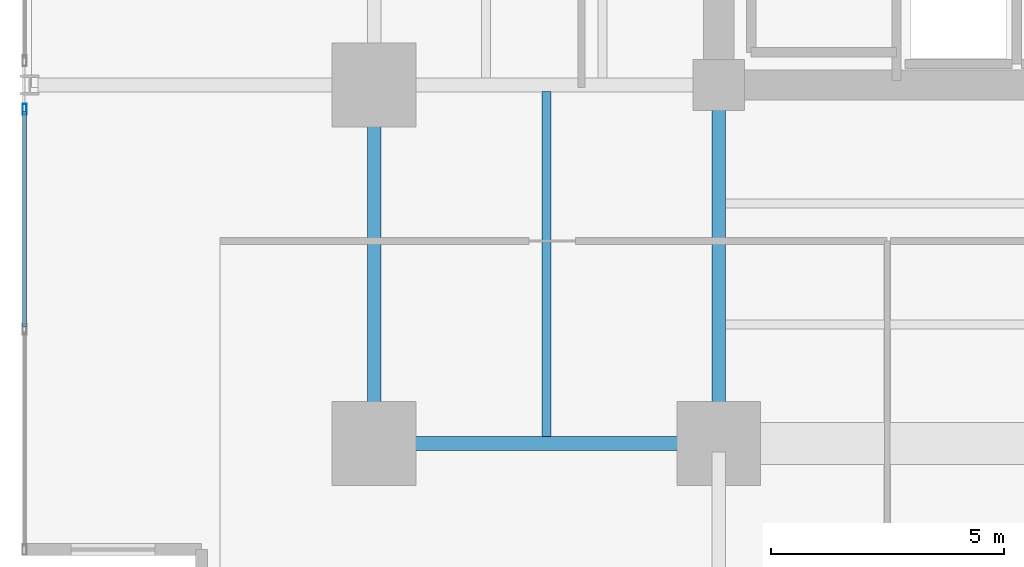
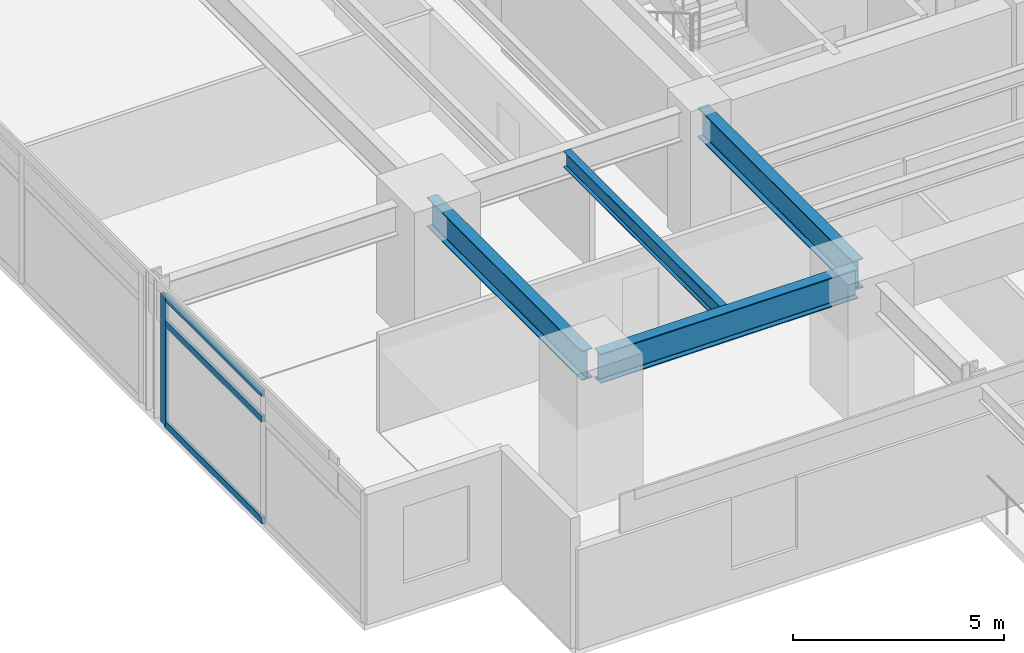
# One storey, part 3 of 23: 4 beams, 4 members, 1 element without a shape of its own.
"""IFC4 building model written with IfcOpenShell, lengths in metres."""

from ifc_helpers import new_model, si_unit, direction, frame, origin, origin_2d, place, context, subcontext, project, spatial, hollow_rectangle, i_section, extrude, material, material_profile, profile_set, type_object, element, aggregate, save


model = new_model("IFC4")

# Units and contexts
model_context = context("Model", 3, precision=1e-05, world=origin(), true_north=direction((0.0, 1.0)))
body_context = subcontext(model_context, "Body", "Model", "MODEL_VIEW")
ifc_project = project(units=[si_unit("LENGTHUNIT", "METRE"), si_unit("AREAUNIT", "SQUARE_METRE"), si_unit("VOLUMEUNIT", "CUBIC_METRE"), si_unit("PLANEANGLEUNIT", "RADIAN"), si_unit("MASSUNIT", "GRAM", prefix="KILO")], contexts=[model_context])

# Site, building, storey
site_placement = place(None, origin())
site = spatial("IfcSite", under=ifc_project, at=site_placement, CompositionType="ELEMENT")
building_placement = place(site_placement, origin())
building = spatial("IfcBuilding", under=site, at=building_placement, Name="Kovane Verandah Tower", CompositionType="ELEMENT")
storey_placement = place(building_placement, frame((0.0, 0.0, 63.60009765625)))
storey = spatial("IfcBuildingStorey", under=building, at=storey_placement, Name="L14", CompositionType="ELEMENT", Elevation=63.60009765625)

# Beams
ifc_material_1 = material(Name="Steel S355", Category="steel")
ifc_material_profile_1 = material_profile(ifc_material_1, i_section(OverallWidth=0.293701171875, OverallDepth=0.850830078125, WebThickness=0.01611328125, FlangeThickness=0.02685546875, FilletRadius=0.017822265625, at=origin_2d()), Name="UB838x292x226")
ifc_profile_set_1 = profile_set([ifc_material_profile_1], Name="Steel S355")
beam_type_1 = type_object("IfcBeamType", Name="BM-UB838x226", PredefinedType="BEAM", material=ifc_profile_set_1)
beam_1_placement = place(storey_placement, frame((21.780029296875, 10.800048828125, 3.33447265625), z_axis=(1.0, 0.0, 0.0), x_axis=(0.0, 1.0, 0.0)))
element("IfcBeam", 1, at=beam_1_placement, inside=storey, type_object=beam_type_1, Name="L14 Primary Tower Girder G-RS1", PredefinedType="BEAM", context=body_context, shape_type="SweptSolid", body=[
    extrude(i_section(OverallWidth=0.293701171875, OverallDepth=0.850830078125, WebThickness=0.01611328125, FlangeThickness=0.02685546875, FilletRadius=0.017822265625, at=origin_2d()), origin(), (0.0, 0.0, 1.0), 7.0400390625),
])
for number, where, z_axis, x_axis, name in (
    (2, (21.60009765625, 10.97998046875, 3.33447265625), (0.0, 1.0, 0.0), (-1.0, 0.0, 0.0), "L14 Primary Tower Girder G-RW1"),
    (3, (29.0, 18.320068359375, 3.33447265625), (0.0, -1.0, 0.0), (1.0, 0.0, 0.0), "L14 Primary Tower Girder G-S1"),
):
    element("IfcBeam", number, at=place(storey_placement, frame(where, z_axis=z_axis, x_axis=x_axis)), inside=storey, type_object=beam_type_1, Name=name, PredefinedType="BEAM", context=body_context, shape_type="SweptSolid", body=[
        extrude(i_section(OverallWidth=0.293701171875, OverallDepth=0.850830078125, WebThickness=0.01611328125, FlangeThickness=0.02685546875, FilletRadius=0.017822265625, at=origin_2d()), origin(), (0.0, 0.0, 1.0), 7.340087890625),
    ])

# Curtain wall, members
ifc_material_2 = material(Name="Champagne Anodised Aluminium Frame with Low-E Clear Laminated Glass", Category="aluminium")
curtain_wall_type = type_object("IfcCurtainWallType", Name="CW-SYS-02-LOW", PredefinedType="NOTDEFINED", material=ifc_material_2)
curtain_wall_placement = place(storey_placement, origin())
curtain_wall = element("IfcCurtainWall", 4, at=curtain_wall_placement, inside=storey, type_object=curtain_wall_type, Name="L14 W Unitised Curtain Wall-3", PredefinedType="NOTDEFINED")
ifc_material_3 = material(Name="Champagne Anodised Aluminium 6063-T6", Category="aluminium")
ifc_material_profile_2 = material_profile(ifc_material_3, hollow_rectangle(XDim=0.0849609375, YDim=0.22998046875, WallThickness=0.00390625, at=origin_2d()), Name="AL85x230x4")
ifc_profile_set_2 = profile_set([ifc_material_profile_2], Name="Champagne Anodised Aluminium 6063-T6")
member_type_1 = type_object("IfcMemberType", Name="CW-MUL-85x230", PredefinedType="MULLION", material=ifc_profile_set_2)
member_1_placement = place(storey_placement, frame((14.093017578125, 17.97998046875, 0.02001953125), z_axis=(0.0, 0.0, 1.0), x_axis=(-1.0, 0.0, 0.0)))
member_1 = element("IfcMember", 5, at=member_1_placement, type_object=member_type_1, Name="L14 W Unitised Curtain Wall-3 Mullion 1", PredefinedType="MULLION", context=body_context, shape_type="SweptSolid", body=[
    extrude(hollow_rectangle(XDim=0.0849609375, YDim=0.22998046875, WallThickness=0.00390625, at=origin_2d()), origin(), (0.0, 0.0, 1.0), 3.719970703125),
])
ifc_material_profile_3 = material_profile(ifc_material_3, hollow_rectangle(XDim=0.0849609375, YDim=0.18994140625, WallThickness=0.00390625, at=origin_2d()), Name="AL85x190x4")
ifc_profile_set_3 = profile_set([ifc_material_profile_3], Name="Champagne Anodised Aluminium 6063-T6")
member_type_2 = type_object("IfcMemberType", Name="CW-TRN-85x190", PredefinedType="USERDEFINED", material=ifc_profile_set_3)
member_2_placement = place(storey_placement, frame((14.093017578125, 17.929931640625, 0.0498046875), z_axis=(0.0, -1.0, 0.0), x_axis=(1.0, 0.0, 0.0)))
member_2 = element("IfcMember", 6, at=member_2_placement, type_object=member_type_2, Name="L14 W Unitised Curtain Wall-3 Transom TB Bay 1", ObjectType="TRANSOM", PredefinedType="USERDEFINED", context=body_context, shape_type="SweptSolid", body=[
    extrude(hollow_rectangle(XDim=0.0849609375, YDim=0.18994140625, WallThickness=0.00390625, at=origin_2d()), origin(), (0.0, 0.0, 1.0), 4.62744140625),
])
member_3_placement = place(storey_placement, frame((14.093017578125, 17.929931640625, 2.97998046875), z_axis=(0.0, -1.0, 0.0), x_axis=(1.0, 0.0, 0.0)))
member_3 = element("IfcMember", 7, at=member_3_placement, type_object=member_type_2, Name="L14 W Unitised Curtain Wall-3 Transom TM Bay 1", ObjectType="TRANSOM", PredefinedType="USERDEFINED", context=body_context, shape_type="SweptSolid", body=[
    extrude(hollow_rectangle(XDim=0.0849609375, YDim=0.18994140625, WallThickness=0.00390625, at=origin_2d()), origin(), (0.0, 0.0, 1.0), 4.62744140625),
])
member_4_placement = place(storey_placement, frame((14.093017578125, 17.929931640625, 3.7099609375), z_axis=(0.0, -1.0, 0.0), x_axis=(1.0, 0.0, 0.0)))
member_4 = element("IfcMember", 8, at=member_4_placement, type_object=member_type_2, Name="L14 W Unitised Curtain Wall-3 Transom TT Bay 1", ObjectType="TRANSOM", PredefinedType="USERDEFINED", context=body_context, shape_type="SweptSolid", body=[
    extrude(hollow_rectangle(XDim=0.0849609375, YDim=0.18994140625, WallThickness=0.00390625, at=origin_2d()), origin(), (0.0, 0.0, 1.0), 4.62744140625),
])
aggregate(curtain_wall, [member_1, member_2, member_3, member_4])

# Beam
ifc_material_profile_4 = material_profile(ifc_material_1, i_section(OverallWidth=0.19287109375, OverallDepth=0.46728515625, WebThickness=0.011474609375, FlangeThickness=0.01953125, FilletRadius=0.01025390625, at=origin_2d()), Name="UB457x191x98")
ifc_profile_set_4 = profile_set([ifc_material_profile_4], Name="Steel S355")
beam_type_2 = type_object("IfcBeamType", Name="JST-UB457x98", PredefinedType="JOIST", material=ifc_profile_set_4)
beam_2_placement = place(storey_placement, frame((25.300048828125, 10.94482421875, 3.5263671875), z_axis=(0.0, 1.0, 0.0), x_axis=(-1.0, 0.0, 0.0)))
element("IfcBeam", 9, at=beam_2_placement, inside=storey, type_object=beam_type_2, Name="L14 Secondary Composite Joist J-SW1", PredefinedType="JOIST", context=body_context, shape_type="SweptSolid", body=[
    extrude(i_section(OverallWidth=0.19287109375, OverallDepth=0.46728515625, WebThickness=0.011474609375, FlangeThickness=0.01953125, FilletRadius=0.01025390625, at=origin_2d()), origin(), (0.0, 0.0, 1.0), 7.41015625),
])

save(model, "model.ifc")
